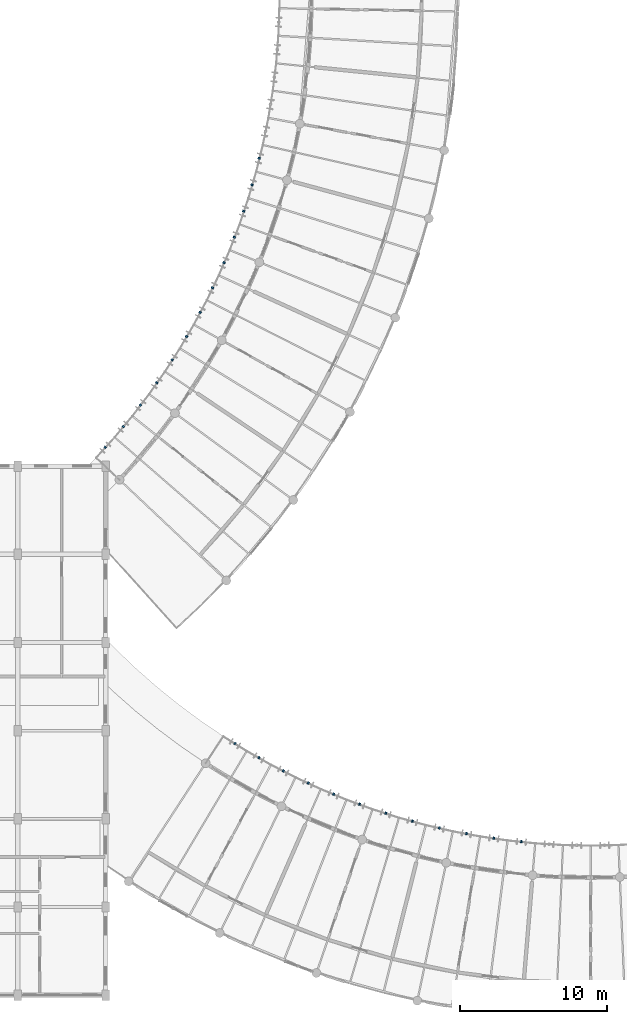
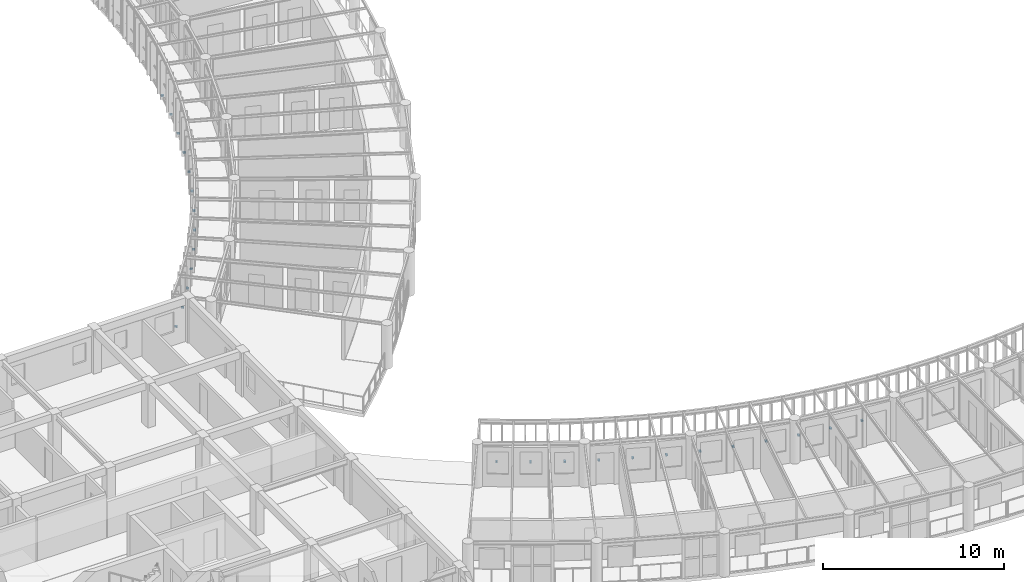
# One storey, part 84 of 101: 25 discrete accessories.
"""IFC4 building model written with IfcOpenShell, lengths in metres."""

import ifcopenshell
import ifcopenshell.guid

model = None  # the IFC model being written
_history = None  # IfcOwnerHistory: only IFC2X3 demands one
_inside = {}  # id of a spatial element -> (the spatial element, [elements in it])
_under = {}  # id of a project, library or spatial element -> (it, [spatial elements below it])
_declared = {}  # id of a project -> (the project, [libraries it declares])
_typed = {}  # id of a type object -> (the type object, [elements of that type])
_made_of = {}  # id of a material, layer set ... -> (it, [elements and type objects made of it])


def new_model(schema):
    """Start an empty IFC model of exactly this schema.

    Asked for "IFC4X3", IfcOpenShell would pick the latest addendum, in which some entities
    have other attributes; the version numbers below select the first issue.
    IFC2X3 requires an IfcOwnerHistory on every rooted entity: one is made here for all.
    """
    global model, _history
    if schema == "IFC4X3":
        model = ifcopenshell.file(schema_version=(4, 3, 0, 0))
    else:
        model = ifcopenshell.file(schema=schema)
    _inside.clear()
    _under.clear()
    _declared.clear()
    _typed.clear()
    _made_of.clear()
    _history = None
    if model.schema == "IFC2X3":
        org = make("IfcOrganization", Name="unknown")
        user = make(
            "IfcPersonAndOrganization",
            ThePerson=make("IfcPerson", FamilyName="unknown"),
            TheOrganization=org,
        )
        app = make(
            "IfcApplication",
            ApplicationDeveloper=org,
            Version="unknown",
            ApplicationFullName="unknown",
            ApplicationIdentifier="unknown",
        )
        _history = make(
            "IfcOwnerHistory",
            OwningUser=user,
            OwningApplication=app,
            ChangeAction="ADDED",
            CreationDate=0,
        )
    return model


def make(cls, **values):
    """One entity of the class cls with the attributes given. An attribute that is None is left unset."""
    return model.create_entity(
        cls, **{name: value for name, value in values.items() if value is not None}
    )


def rooted(cls, **values):
    """An entity with a GlobalId (a new one), such as an element, a storey or a relation."""
    return make(cls, GlobalId=ifcopenshell.guid.new(), OwnerHistory=_history, **values)


def si_unit(unit_type, name, prefix=None):
    """IfcSIUnit, for example si_unit("LENGTHUNIT", "METRE", prefix="MILLI")."""
    return make("IfcSIUnit", UnitType=unit_type, Prefix=prefix, Name=name)


def assignment(units):
    """IfcUnitAssignment: the units of a project."""
    return None if units is None else make("IfcUnitAssignment", Units=units)


def point(xyz):
    """IfcCartesianPoint."""
    return None if xyz is None else make("IfcCartesianPoint", Coordinates=xyz)


def direction(xyz):
    """IfcDirection."""
    return None if xyz is None else make("IfcDirection", DirectionRatios=xyz)


def frame(location, z_axis=None, x_axis=None):
    """IfcAxis2Placement3D, a coordinate frame: its origin and axes. An axis left out is left unset."""
    return make(
        "IfcAxis2Placement3D",
        Location=point(location),
        Axis=direction(z_axis),
        RefDirection=direction(x_axis),
    )


def frame_2d(location, x_axis=None):
    """IfcAxis2Placement2D, a coordinate frame in the plane: its origin and x axis."""
    return make(
        "IfcAxis2Placement2D", Location=point(location), RefDirection=direction(x_axis)
    )


def origin():
    """The frame at (0, 0, 0) with its axes left unset."""
    return frame((0.0, 0.0, 0.0))


def origin_2d():
    """The frame at (0, 0) in the plane with its x axis left unset."""
    return frame_2d((0.0, 0.0))


def place(relative_to, where):
    """IfcLocalPlacement: puts the frame where relative to a parent placement (None: the world)."""
    return make(
        "IfcLocalPlacement", PlacementRelTo=relative_to, RelativePlacement=where
    )


def context(
    kind, dimensions, precision=None, world=None, true_north=None, identifier=None
):
    """IfcGeometricRepresentationContext, for example the 3D "Model" context."""
    return make(
        "IfcGeometricRepresentationContext",
        ContextIdentifier=identifier,
        ContextType=kind,
        CoordinateSpaceDimension=dimensions,
        Precision=precision,
        WorldCoordinateSystem=world,
        TrueNorth=true_north,
    )


def subcontext(parent, identifier, kind, view, scale=None):
    """IfcGeometricRepresentationSubContext, for example "Body" below "Model"."""
    return make(
        "IfcGeometricRepresentationSubContext",
        ContextIdentifier=identifier,
        ContextType=kind,
        ParentContext=parent,
        TargetScale=scale,
        TargetView=view,
    )


def project(units=None, contexts=None):
    """IfcProject with its units and contexts."""
    return rooted(
        "IfcProject",
        Name="project",
        RepresentationContexts=contexts,
        UnitsInContext=assignment(units),
    )


def spatial(cls, under=None, at=None, **own):
    """A site, building, storey or space (cls), placed at a placement, below another one or the project."""
    s = rooted(cls, ObjectPlacement=at, **own)
    if under is not None:
        _under.setdefault(under.id(), (under, []))[1].append(s)
    return s


def profile(cls, at=None, kind="AREA", **sizes):
    """A parametric profile (cls). Its sizes go by their IFC names, for example OverallWidth=200.0."""
    return make(cls, ProfileType=kind, Position=at, **sizes)


def rectangle(**sizes):
    """IfcRectangleProfileDef."""
    return profile("IfcRectangleProfileDef", **sizes)


def extrude(swept, where, along, depth):
    """IfcExtrudedAreaSolid: the profile swept, set in the frame where, extruded along a direction by depth."""
    return make(
        "IfcExtrudedAreaSolid",
        SweptArea=swept,
        Position=where,
        ExtrudedDirection=direction(along),
        Depth=depth,
    )


def shape(context_of_items, identifier, shape_type, items):
    """IfcShapeRepresentation: the items that make up one representation, for example the "Body"."""
    return make(
        "IfcShapeRepresentation",
        ContextOfItems=context_of_items,
        RepresentationIdentifier=identifier,
        RepresentationType=shape_type,
        Items=items,
    )


def material(Name=None, Category=None):
    """IfcMaterial."""
    return make("IfcMaterial", Name=Name, Category=Category)


def made_of(thing, what):
    """Note that an element or type object is made of a material, layer set ...; save() writes the relation."""
    if what is not None:
        _made_of.setdefault(what.id(), (what, []))[1].append(thing)
    return thing


def type_object(cls, material=None, **own):
    """A type object (cls), such as IfcWallType, which elements share."""
    return made_of(rooted(cls, **own), material)


def element(
    cls,
    number,
    at=None,
    inside=None,
    cuts=None,
    type_object=None,
    material=None,
    context=None,
    identifier="Body",
    shape_type=None,
    held_by="IfcProductDefinitionShape",
    body=None,
    shapes=None,
    **own,
):
    """One element of the class cls, such as IfcWall. Its Tag is "e" and its number.

    at: its placement. inside: the storey or other place that contains it. cuts: it is an
    opening in that element (IfcRelVoidsElement). A single representation is given by context,
    identifier, shape_type and body (its items); several are given by shapes. held_by: the class
    of the entity that holds the representations. save() writes the other relations.
    """
    e = rooted(cls, Tag="e%d" % number, ObjectPlacement=at, **own)
    if body is not None:
        shapes = [shape(context, identifier, shape_type, body)]
    if shapes is not None:
        e.Representation = make(held_by, Representations=shapes)
    if inside is not None:
        _inside.setdefault(inside.id(), (inside, []))[1].append(e)
    if cuts is not None:
        rooted(
            "IfcRelVoidsElement", RelatingBuildingElement=cuts, RelatedOpeningElement=e
        )
    if type_object is not None:
        _typed.setdefault(type_object.id(), (type_object, []))[1].append(e)
    return made_of(e, material)


def aggregate(whole, parts):
    """IfcRelAggregates: a whole, such as a stair, and the parts it consists of."""
    return rooted("IfcRelAggregates", RelatingObject=whole, RelatedObjects=parts)


def save(model, path):
    """Write the relations noted so far, then the file.

    IfcRelAggregates (storeys below a building ...), IfcRelContainedInSpatialStructure (elements
    in a storey), IfcRelDefinesByType, IfcRelAssociatesMaterial and IfcRelDeclares: one each for
    every whole, place, type object, material and project.
    """
    for whole, parts in _under.values():
        aggregate(whole, parts)
    for where, things in _inside.values():
        rooted(
            "IfcRelContainedInSpatialStructure",
            RelatedElements=things,
            RelatingStructure=where,
        )
    for kind, things in _typed.values():
        rooted("IfcRelDefinesByType", RelatedObjects=things, RelatingType=kind)
    for what, things in _made_of.values():
        rooted("IfcRelAssociatesMaterial", RelatedObjects=things, RelatingMaterial=what)
    for by, libraries in _declared.values():
        rooted("IfcRelDeclares", RelatingContext=by, RelatedDefinitions=libraries)
    model.write(path)


model = new_model("IFC4")

# Units and contexts
model_context = context("Model", 3, precision=1e-05, world=origin(), true_north=direction((0.0, 1.0)))
body_context = subcontext(model_context, "Body", "Model", "MODEL_VIEW")
ifc_project = project(units=[si_unit("LENGTHUNIT", "METRE"), si_unit("AREAUNIT", "SQUARE_METRE"), si_unit("VOLUMEUNIT", "CUBIC_METRE"), si_unit("PLANEANGLEUNIT", "RADIAN"), si_unit("MASSUNIT", "GRAM", prefix="KILO"), si_unit("POWERUNIT", "WATT"), si_unit("THERMODYNAMICTEMPERATUREUNIT", "KELVIN")], contexts=[model_context])

# Site, building, storey
site_placement = place(None, origin())
site = spatial("IfcSite", under=ifc_project, at=site_placement, CompositionType="ELEMENT")
building_placement = place(site_placement, origin())
building = spatial("IfcBuilding", under=site, at=building_placement, Name="Ruvembo Vaulted Housing Court", CompositionType="ELEMENT")
storey_placement = place(building_placement, frame((0.0, 0.0, 17.300048828125)))
storey = spatial("IfcBuildingStorey", under=building, at=storey_placement, Name="L05", CompositionType="ELEMENT", Elevation=17.300048828125)

# Discrete accessories
ifc_material = material(Name="Stainless Steel Grade 316", Category="steel")
discrete_accessory_type = type_object("IfcDiscreteAccessoryType", Name="ACC-BRACKET-SS", PredefinedType="BRACKET", material=ifc_material)
for number, where, z_axis, x_axis, name in (
    (1, (35.958984375, 43.282958984375, 0.02978515625), (0.0, 0.0, 1.0), (0.741601288413, -0.670840911859, 0.0), "Stainless Louvre Rail Bracket #77"),
    (2, (37.18896484375, 44.69970703125, 0.02978515625), (0.0, 0.0, 1.0), (0.768495749762, -0.63985489183, 0.0), "Stainless Louvre Rail Bracket #78"),
    (3, (38.359619140625, 46.166015625, 0.02978515625), (0.0, 0.0, 1.0), (0.794043447551, -0.607861006646, 0.0), "Stainless Louvre Rail Bracket #79"),
    (4, (39.46923828125, 47.6787109375, 0.02978515625), (0.0, 0.0, 1.0), (0.818280160918, -0.574819604962, 0.0), "Stainless Louvre Rail Bracket #80"),
    (5, (40.51611328125, 49.23583984375, 0.02978515625), (0.0, 0.0, 1.0), (0.841114539051, -0.540857034896, 0.0), "Stainless Louvre Rail Bracket #81"),
    (6, (41.498291015625, 50.83447265625, 0.02978515625), (0.0, 0.0, 1.0), (0.862619633753, -0.505853108583, 0.0), "Stainless Louvre Rail Bracket #82"),
    (7, (42.4140625, 52.471923828125, 0.02978515625), (0.0, 0.0, 1.0), (0.882586804261, -0.470149479362, 0.0), "Stainless Louvre Rail Bracket #83"),
    (8, (43.26220703125, 54.145751953125, 0.02978515625), (0.0, 0.0, 1.0), (0.901099726423, -0.433611903711, 0.0), "Stainless Louvre Rail Bracket #84"),
    (9, (44.040771484375, 55.852783203125, 0.02978515625), (0.0, 0.0, 1.0), (0.918121604514, -0.396298775325, 0.0), "Stainless Louvre Rail Bracket #85"),
    (10, (44.7490234375, 57.590087890625, 0.02978515625), (0.0, 0.0, 1.0), (0.933567916527, -0.358400537432, 0.0), "Stainless Louvre Rail Bracket #86"),
    (11, (45.385498046875, 59.355224609375, 0.02978515625), (0.0, 0.0, 1.0), (0.947472959386, -0.319835881714, 0.0), "Stainless Louvre Rail Bracket #87"),
    (12, (45.948974609375, 61.144775390625, 0.02978515625), (0.0, 0.0, 1.0), (0.959790594985, -0.280716963824, 0.0), "Stainless Louvre Rail Bracket #88"),
    (13, (46.438720703125, 62.9560546875, 0.02978515625), (0.0, 0.0, 1.0), (0.970481222826, -0.241176690711, 0.0), "Stainless Louvre Rail Bracket #89"),
    (14, (44.79638671875, 23.129150390625, 0.02978515625), (0.0, 0.0, 1.0), (-0.528556868381, -0.848897895443, 0.0), "Stainless Louvre Rail Bracket #208"),
    (15, (46.420166015625, 22.1640625, 0.02978515625), (0.0, 0.0, 1.0), (-0.493106983922, -0.86996867898, 0.0), "Stainless Louvre Rail Bracket #209"),
    (16, (48.082275390625, 21.266845703125, 0.02978515625), (0.0, 0.0, 1.0), (-0.456849537333, -0.889543984432, 0.0), "Stainless Louvre Rail Bracket #210"),
    (17, (49.780029296875, 20.438720703125, 0.02978515625), (0.0, 0.0, 1.0), (-0.419737248448, -0.90764565898, 0.0), "Stainless Louvre Rail Bracket #211"),
    (18, (51.510498046875, 19.681396484375, 0.02978515625), (0.0, 0.0, 1.0), (-0.381957701122, -0.924179806398, 0.0), "Stainless Louvre Rail Bracket #212"),
    (19, (53.2705078125, 18.99609375, 0.02978515625), (0.0, 0.0, 1.0), (-0.343512177766, -0.939148222447, 0.0), "Stainless Louvre Rail Bracket #213"),
    (20, (55.0576171875, 18.384033203125, 0.02978515625), (0.0, 0.0, 1.0), (-0.304448708958, -0.952528731122, 0.0), "Stainless Louvre Rail Bracket #214"),
    (21, (56.8681640625, 17.84619140625, 0.02978515625), (0.0, 0.0, 1.0), (-0.264983965035, -0.96425281865, 0.0), "Stainless Louvre Rail Bracket #215"),
    (22, (58.699462890625, 17.38330078125, 0.02978515625), (0.0, 0.0, 1.0), (-0.224951054344, -0.974370064785, 0.0), "Stainless Louvre Rail Bracket #216"),
    (23, (60.54833984375, 16.996337890625, 0.02978515625), (0.0, 0.0, 1.0), (-0.184568910756, -0.982819575091, 0.0), "Stainless Louvre Rail Bracket #217"),
    (24, (62.41162109375, 16.686279296875, 0.02978515625), (0.0, 0.0, 1.0), (-0.143872610257, -0.989596216655, 0.0), "Stainless Louvre Rail Bracket #218"),
    (25, (64.285888671875, 16.452880859375, 0.02978515625), (0.0, 0.0, 1.0), (-0.102948783072, -0.994686658232, 0.0), "Stainless Louvre Rail Bracket #219"),
):
    element("IfcDiscreteAccessory", number, at=place(storey_placement, frame(where, z_axis=z_axis, x_axis=x_axis)), inside=storey, type_object=discrete_accessory_type, Name=name, PredefinedType="BRACKET", context=body_context, shape_type="SweptSolid", body=[
        extrude(rectangle(XDim=0.159912109375, YDim=0.1201171875, at=origin_2d()), origin(), (0.0, 0.0, 1.0), 0.10009765625),
    ])

save(model, "model.ifc")
